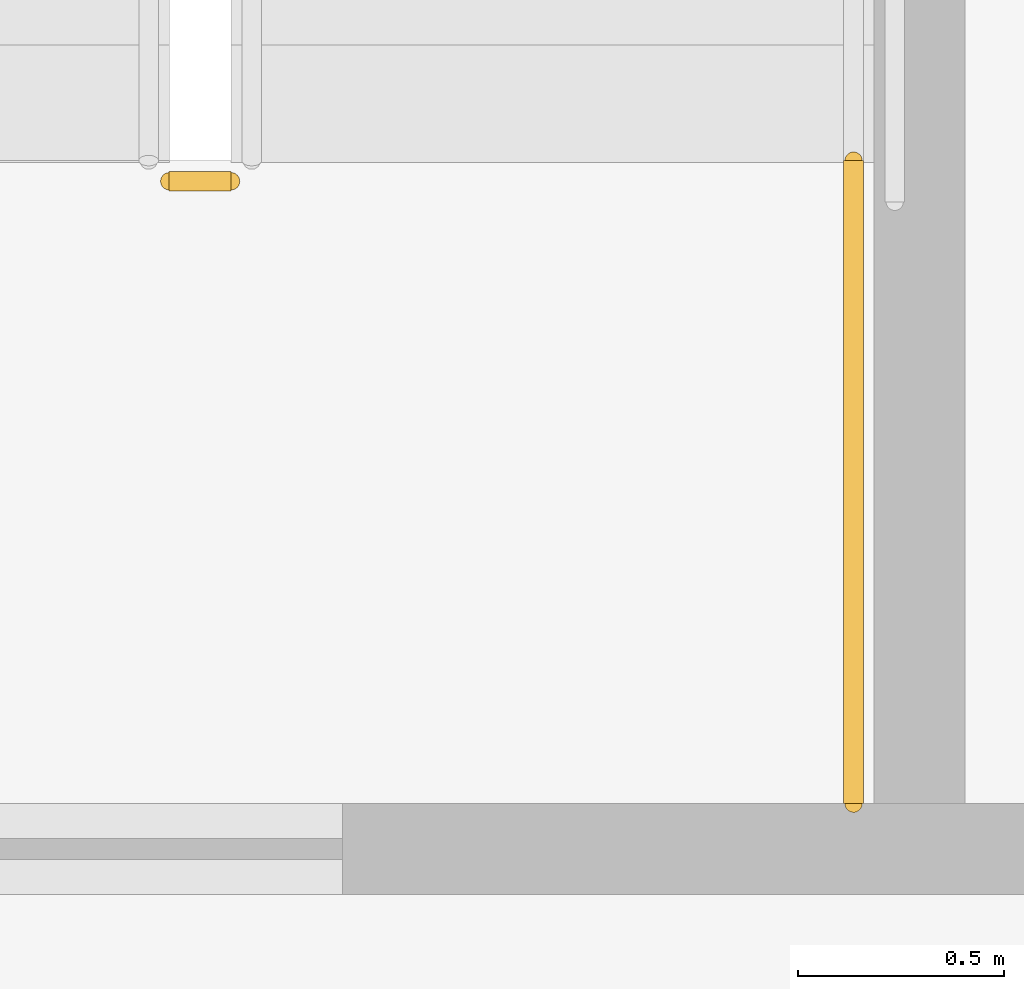
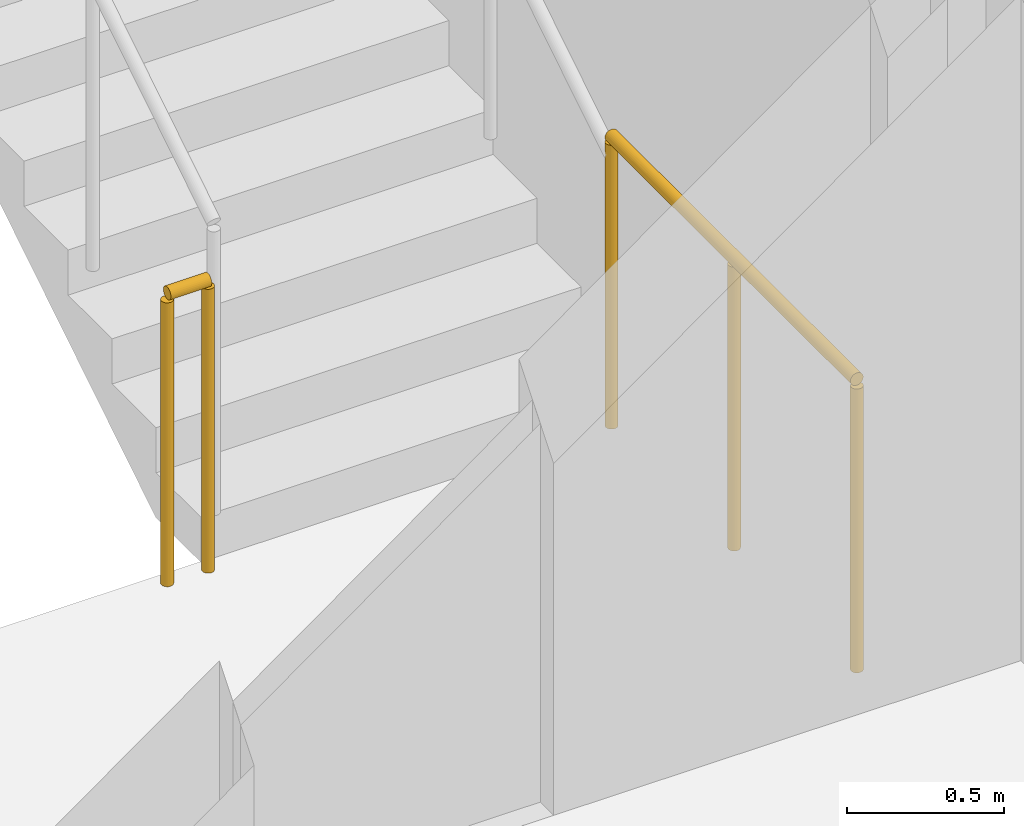
# One storey, part 12 of 15: 2 railings.
"""IFC4 building model written with IfcOpenShell, lengths in metres."""

import ifcopenshell
import ifcopenshell.guid

model = None  # the IFC model being written
_history = None  # IfcOwnerHistory: only IFC2X3 demands one
_inside = {}  # id of a spatial element -> (the spatial element, [elements in it])
_under = {}  # id of a project, library or spatial element -> (it, [spatial elements below it])
_declared = {}  # id of a project -> (the project, [libraries it declares])
_typed = {}  # id of a type object -> (the type object, [elements of that type])
_made_of = {}  # id of a material, layer set ... -> (it, [elements and type objects made of it])


def new_model(schema):
    """Start an empty IFC model of exactly this schema.

    Asked for "IFC4X3", IfcOpenShell would pick the latest addendum, in which some entities
    have other attributes; the version numbers below select the first issue.
    IFC2X3 requires an IfcOwnerHistory on every rooted entity: one is made here for all.
    """
    global model, _history
    if schema == "IFC4X3":
        model = ifcopenshell.file(schema_version=(4, 3, 0, 0))
    else:
        model = ifcopenshell.file(schema=schema)
    _inside.clear()
    _under.clear()
    _declared.clear()
    _typed.clear()
    _made_of.clear()
    _history = None
    if model.schema == "IFC2X3":
        org = make("IfcOrganization", Name="unknown")
        user = make(
            "IfcPersonAndOrganization",
            ThePerson=make("IfcPerson", FamilyName="unknown"),
            TheOrganization=org,
        )
        app = make(
            "IfcApplication",
            ApplicationDeveloper=org,
            Version="unknown",
            ApplicationFullName="unknown",
            ApplicationIdentifier="unknown",
        )
        _history = make(
            "IfcOwnerHistory",
            OwningUser=user,
            OwningApplication=app,
            ChangeAction="ADDED",
            CreationDate=0,
        )
    return model


def make(cls, **values):
    """One entity of the class cls with the attributes given. An attribute that is None is left unset."""
    return model.create_entity(
        cls, **{name: value for name, value in values.items() if value is not None}
    )


def rooted(cls, **values):
    """An entity with a GlobalId (a new one), such as an element, a storey or a relation."""
    return make(cls, GlobalId=ifcopenshell.guid.new(), OwnerHistory=_history, **values)


def si_unit(unit_type, name, prefix=None):
    """IfcSIUnit, for example si_unit("LENGTHUNIT", "METRE", prefix="MILLI")."""
    return make("IfcSIUnit", UnitType=unit_type, Prefix=prefix, Name=name)


def assignment(units):
    """IfcUnitAssignment: the units of a project."""
    return None if units is None else make("IfcUnitAssignment", Units=units)


def point(xyz):
    """IfcCartesianPoint."""
    return None if xyz is None else make("IfcCartesianPoint", Coordinates=xyz)


def direction(xyz):
    """IfcDirection."""
    return None if xyz is None else make("IfcDirection", DirectionRatios=xyz)


def frame(location, z_axis=None, x_axis=None):
    """IfcAxis2Placement3D, a coordinate frame: its origin and axes. An axis left out is left unset."""
    return make(
        "IfcAxis2Placement3D",
        Location=point(location),
        Axis=direction(z_axis),
        RefDirection=direction(x_axis),
    )


def frame_2d(location, x_axis=None):
    """IfcAxis2Placement2D, a coordinate frame in the plane: its origin and x axis."""
    return make(
        "IfcAxis2Placement2D", Location=point(location), RefDirection=direction(x_axis)
    )


def origin():
    """The frame at (0, 0, 0) with its axes left unset."""
    return frame((0.0, 0.0, 0.0))


def origin_2d():
    """The frame at (0, 0) in the plane with its x axis left unset."""
    return frame_2d((0.0, 0.0))


def place(relative_to, where):
    """IfcLocalPlacement: puts the frame where relative to a parent placement (None: the world)."""
    return make(
        "IfcLocalPlacement", PlacementRelTo=relative_to, RelativePlacement=where
    )


def context(
    kind, dimensions, precision=None, world=None, true_north=None, identifier=None
):
    """IfcGeometricRepresentationContext, for example the 3D "Model" context."""
    return make(
        "IfcGeometricRepresentationContext",
        ContextIdentifier=identifier,
        ContextType=kind,
        CoordinateSpaceDimension=dimensions,
        Precision=precision,
        WorldCoordinateSystem=world,
        TrueNorth=true_north,
    )


def subcontext(parent, identifier, kind, view, scale=None):
    """IfcGeometricRepresentationSubContext, for example "Body" below "Model"."""
    return make(
        "IfcGeometricRepresentationSubContext",
        ContextIdentifier=identifier,
        ContextType=kind,
        ParentContext=parent,
        TargetScale=scale,
        TargetView=view,
    )


def project(units=None, contexts=None):
    """IfcProject with its units and contexts."""
    return rooted(
        "IfcProject",
        Name="project",
        RepresentationContexts=contexts,
        UnitsInContext=assignment(units),
    )


def spatial(cls, under=None, at=None, **own):
    """A site, building, storey or space (cls), placed at a placement, below another one or the project."""
    s = rooted(cls, ObjectPlacement=at, **own)
    if under is not None:
        _under.setdefault(under.id(), (under, []))[1].append(s)
    return s


def profile(cls, at=None, kind="AREA", **sizes):
    """A parametric profile (cls). Its sizes go by their IFC names, for example OverallWidth=200.0."""
    return make(cls, ProfileType=kind, Position=at, **sizes)


def circle(**sizes):
    """IfcCircleProfileDef."""
    return profile("IfcCircleProfileDef", **sizes)


def extrude(swept, where, along, depth):
    """IfcExtrudedAreaSolid: the profile swept, set in the frame where, extruded along a direction by depth."""
    return make(
        "IfcExtrudedAreaSolid",
        SweptArea=swept,
        Position=where,
        ExtrudedDirection=direction(along),
        Depth=depth,
    )


def shape(context_of_items, identifier, shape_type, items):
    """IfcShapeRepresentation: the items that make up one representation, for example the "Body"."""
    return make(
        "IfcShapeRepresentation",
        ContextOfItems=context_of_items,
        RepresentationIdentifier=identifier,
        RepresentationType=shape_type,
        Items=items,
    )


def material(Name=None, Category=None):
    """IfcMaterial."""
    return make("IfcMaterial", Name=Name, Category=Category)


def made_of(thing, what):
    """Note that an element or type object is made of a material, layer set ...; save() writes the relation."""
    if what is not None:
        _made_of.setdefault(what.id(), (what, []))[1].append(thing)
    return thing


def type_object(cls, material=None, **own):
    """A type object (cls), such as IfcWallType, which elements share."""
    return made_of(rooted(cls, **own), material)


def element(
    cls,
    number,
    at=None,
    inside=None,
    cuts=None,
    type_object=None,
    material=None,
    context=None,
    identifier="Body",
    shape_type=None,
    held_by="IfcProductDefinitionShape",
    body=None,
    shapes=None,
    **own,
):
    """One element of the class cls, such as IfcWall. Its Tag is "e" and its number.

    at: its placement. inside: the storey or other place that contains it. cuts: it is an
    opening in that element (IfcRelVoidsElement). A single representation is given by context,
    identifier, shape_type and body (its items); several are given by shapes. held_by: the class
    of the entity that holds the representations. save() writes the other relations.
    """
    e = rooted(cls, Tag="e%d" % number, ObjectPlacement=at, **own)
    if body is not None:
        shapes = [shape(context, identifier, shape_type, body)]
    if shapes is not None:
        e.Representation = make(held_by, Representations=shapes)
    if inside is not None:
        _inside.setdefault(inside.id(), (inside, []))[1].append(e)
    if cuts is not None:
        rooted(
            "IfcRelVoidsElement", RelatingBuildingElement=cuts, RelatedOpeningElement=e
        )
    if type_object is not None:
        _typed.setdefault(type_object.id(), (type_object, []))[1].append(e)
    return made_of(e, material)


def aggregate(whole, parts):
    """IfcRelAggregates: a whole, such as a stair, and the parts it consists of."""
    return rooted("IfcRelAggregates", RelatingObject=whole, RelatedObjects=parts)


def save(model, path):
    """Write the relations noted so far, then the file.

    IfcRelAggregates (storeys below a building ...), IfcRelContainedInSpatialStructure (elements
    in a storey), IfcRelDefinesByType, IfcRelAssociatesMaterial and IfcRelDeclares: one each for
    every whole, place, type object, material and project.
    """
    for whole, parts in _under.values():
        aggregate(whole, parts)
    for where, things in _inside.values():
        rooted(
            "IfcRelContainedInSpatialStructure",
            RelatedElements=things,
            RelatingStructure=where,
        )
    for kind, things in _typed.values():
        rooted("IfcRelDefinesByType", RelatedObjects=things, RelatingType=kind)
    for what, things in _made_of.values():
        rooted("IfcRelAssociatesMaterial", RelatedObjects=things, RelatingMaterial=what)
    for by, libraries in _declared.values():
        rooted("IfcRelDeclares", RelatingContext=by, RelatedDefinitions=libraries)
    model.write(path)


model = new_model("IFC4")

# Units and contexts
model_context = context("Model", 3, precision=1e-05, world=origin(), true_north=direction((0.0, 1.0)))
body_context = subcontext(model_context, "Body", "Model", "MODEL_VIEW")
ifc_project = project(units=[si_unit("LENGTHUNIT", "METRE"), si_unit("AREAUNIT", "SQUARE_METRE"), si_unit("VOLUMEUNIT", "CUBIC_METRE"), si_unit("PLANEANGLEUNIT", "RADIAN"), si_unit("MASSUNIT", "GRAM", prefix="KILO")], contexts=[model_context])

# Site, building, storey
site_placement = place(None, origin())
site = spatial("IfcSite", under=ifc_project, at=site_placement, CompositionType="ELEMENT")
building_placement = place(site_placement, origin())
building = spatial("IfcBuilding", under=site, at=building_placement, Name="Khairoan Windgate Tower", CompositionType="ELEMENT")
storey_placement = place(building_placement, frame((0.0, 0.0, 126.800048828125)))
storey = spatial("IfcBuildingStorey", under=building, at=storey_placement, Name="L29", CompositionType="ELEMENT", Elevation=126.800048828125)

# Railings
ifc_material = material(Name="Steel S355", Category="steel")
railing_type = type_object("IfcRailingType", Name="Stairwell Safety Guardrail SGR-1150", PredefinedType="GUARDRAIL", material=ifc_material)
railing_1_placement = place(storey_placement, frame((-17.7099609375, 2.909912109375, 0.0)))
element("IfcRailing", 1, at=railing_1_placement, inside=storey, type_object=railing_type, Name="L29 ST2 stair guard 7", PredefinedType="GUARDRAIL", context=body_context, shape_type="SweptSolid", body=[
    extrude(circle(Radius=0.02392578125, at=origin_2d()), frame((0.0, 0.0, 1.1259765625), z_axis=(-1.0, 0.0, 0.0), x_axis=(0.0, -1.0, 0.0)), (0.0, 0.0, 1.0), 0.150146484375),
    extrude(circle(Radius=0.02099609375, at=origin_2d()), origin(), (0.0, 0.0, 1.0), 1.101806640625),
    extrude(circle(Radius=0.02099609375, at=origin_2d()), frame((-0.150146484375, 0.0, 0.0)), (0.0, 0.0, 1.0), 1.101806640625),
])
railing_2_placement = place(storey_placement, frame((-16.199951171875, 1.39990234375, 0.0)))
element("IfcRailing", 2, at=railing_2_placement, inside=storey, type_object=railing_type, Name="L29 ST2 stair guard 8", PredefinedType="GUARDRAIL", context=body_context, shape_type="SweptSolid", body=[
    extrude(circle(Radius=0.02392578125, at=origin_2d()), frame((0.0, 0.0, 1.1259765625), z_axis=(0.0, 1.0, 0.0), x_axis=(-1.0, 0.0, 0.0)), (0.0, 0.0, 1.0), 1.56005859375),
    extrude(circle(Radius=0.02099609375, at=origin_2d()), origin(), (0.0, 0.0, 1.0), 1.101806640625),
    extrude(circle(Radius=0.02099609375, at=origin_2d()), frame((0.0, 0.780029296875, 0.0)), (0.0, 0.0, 1.0), 1.101806640625),
    extrude(circle(Radius=0.02099609375, at=origin_2d()), frame((0.0, 1.56005859375, 0.0)), (0.0, 0.0, 1.0), 1.101806640625),
])

save(model, "model.ifc")
